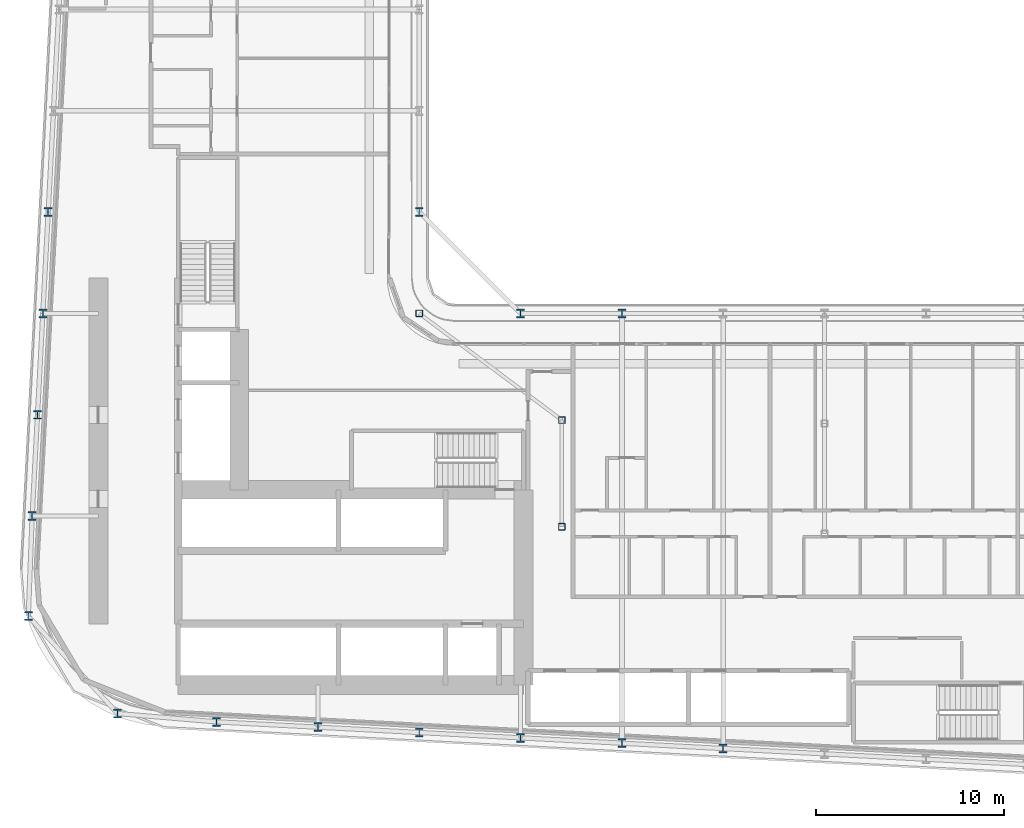
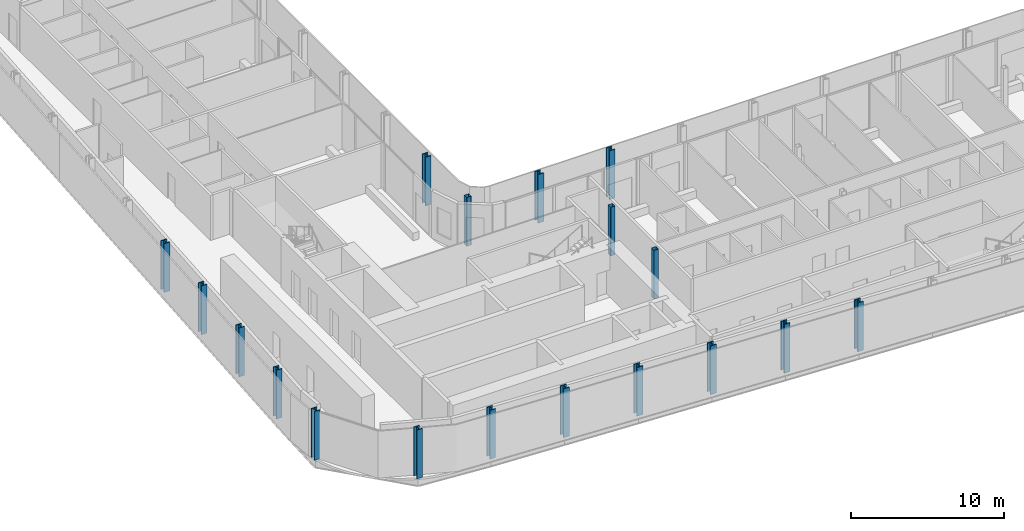
# One storey, part 1 of 24: 18 columns.
"""IFC4 building model written with IfcOpenShell, lengths in metres."""

from ifc_helpers import new_model, si_unit, direction, frame, origin, origin_2d, place, context, subcontext, project, spatial, hollow_rectangle, i_section, extrude, material, material_profile, profile_set, type_object, element, save


model = new_model("IFC4")

# Units and contexts
model_context = context("Model", 3, precision=1e-05, world=origin(), true_north=direction((0.0, 1.0)))
body_context = subcontext(model_context, "Body", "Model", "MODEL_VIEW")
ifc_project = project(units=[si_unit("LENGTHUNIT", "METRE"), si_unit("AREAUNIT", "SQUARE_METRE"), si_unit("VOLUMEUNIT", "CUBIC_METRE"), si_unit("PLANEANGLEUNIT", "RADIAN"), si_unit("MASSUNIT", "GRAM", prefix="KILO")], contexts=[model_context])

# Site, building, storey
site_placement = place(None, origin())
site = spatial("IfcSite", under=ifc_project, at=site_placement, CompositionType="ELEMENT")
building_placement = place(site_placement, origin())
building = spatial("IfcBuilding", under=site, at=building_placement, Name="Kheshtan School and Residences Tower", CompositionType="ELEMENT")
storey_placement = place(building_placement, frame((0.0, 0.0, 38.300048828125)))
storey = spatial("IfcBuildingStorey", under=building, at=storey_placement, Name="L08", CompositionType="ELEMENT", Elevation=38.300048828125)

# Columns
ifc_material_1 = material(Name="Steel ASTM A992 Grade 50", Category="steel")
ifc_material_profile_1 = material_profile(ifc_material_1, i_section(OverallWidth=0.424072265625, OverallDepth=0.47412109375, WebThickness=0.047607421875, FlangeThickness=0.0771484375, FilletRadius=0.01416015625, at=origin_2d()), Name="W360x634")
ifc_profile_set_1 = profile_set([ifc_material_profile_1], Name="Steel ASTM A992 Grade 50")
column_type_1 = type_object("IfcColumnType", Name="Column C1 W360x634 ASTM A992 Grade 50", PredefinedType="COLUMN", material=ifc_profile_set_1)
for number, where, z_axis, x_axis, name in (
    (1, (63.800048828125, 22.410888671875, 0.0), (0.0, 0.0, 1.0), (1.0, 0.0, 0.0), "Column C016"),
    (2, (58.39990234375, 22.695068359375, 0.0), (0.0, 0.0, 1.0), (1.0, 0.0, 0.0), "Column C018"),
    (3, (53.0, 22.97998046875, 0.0), (0.0, 0.0, 1.0), (1.0, 0.0, 0.0), "Column C019"),
    (4, (47.60009765625, 23.263916015625, 0.0), (0.0, 0.0, 1.0), (1.0, 0.0, 0.0), "Column C020"),
    (5, (42.199951171875, 23.548095703125, 0.0), (0.0, 0.0, 1.0), (1.0, 0.0, 0.0), "Column C021"),
    (6, (36.800048828125, 23.83203125, 0.0), (0.0, 0.0, 1.0), (1.0, 0.0, 0.0), "Column C022"),
    (7, (31.52197265625, 24.27490234375, 0.0), (0.0, 0.0, 1.0), (1.0, 0.0, 0.0), "Column C028"),
    (8, (26.761962890625, 29.464111328125, 0.0), (0.0, 0.0, 1.0), (1.0, 0.0, 0.0), "Column C041"),
    (9, (26.968994140625, 34.800048828125, 0.0), (0.0, 0.0, 1.0), (1.0, 0.0, 0.0), "Column C052"),
    (10, (27.2529296875, 40.199951171875, 0.0), (0.0, 0.0, 1.0), (1.0, 0.0, 0.0), "Column C056"),
    (11, (27.537109375, 45.60009765625, 0.0), (0.0, 0.0, 1.0), (1.0, 0.0, 0.0), "Column C059"),
    (12, (53.0, 45.60009765625, 0.0), (0.0, 0.0, 1.0), (1.0, 0.0, 0.0), "Column C061"),
    (13, (58.39990234375, 45.60009765625, 0.0), (0.0, 0.0, 1.0), (1.0, 0.0, 0.0), "Column C062"),
    (14, (27.822021484375, 51.0, 0.0), (0.0, 0.0, 1.0), (1.0, 0.0, 0.0), "Column C078"),
    (15, (47.60009765625, 51.0, 0.0), (0.0, 0.0, 1.0), (1.0, 0.0, 0.0), "Column C079"),
):
    element("IfcColumn", number, at=place(storey_placement, frame(where, z_axis=z_axis, x_axis=x_axis)), inside=storey, type_object=column_type_1, Name=name, PredefinedType="COLUMN", context=body_context, shape_type="SweptSolid", body=[
        extrude(i_section(OverallWidth=0.424072265625, OverallDepth=0.47412109375, WebThickness=0.047607421875, FlangeThickness=0.0771484375, FilletRadius=0.01416015625, at=origin_2d()), origin(), (0.0, 0.0, 1.0), 3.89990234375),
    ])
ifc_material_2 = material(Name="Steel ASTM A500 Grade C", Category="steel")
ifc_material_profile_2 = material_profile(ifc_material_2, hollow_rectangle(XDim=0.35595703125, YDim=0.35595703125, WallThickness=0.015869140625, InnerFilletRadius=0.015869140625, OuterFilletRadius=0.03173828125, at=origin_2d()), Name="HSS 356x356x15.9")
ifc_profile_set_2 = profile_set([ifc_material_profile_2], Name="Steel ASTM A500 Grade C")
column_type_2 = type_object("IfcColumnType", Name="Column IC1 HSS 356x356x15.9 ASTM A500 Grade C", PredefinedType="COLUMN", material=ifc_profile_set_2)
for number, where, z_axis, x_axis, name in (
    (16, (55.199951171875, 34.23193359375, 0.0), (0.0, 0.0, 1.0), (1.0, 0.0, 0.0), "Column C051"),
    (17, (55.199951171875, 39.916015625, 0.0), (0.0, 0.0, 1.0), (1.0, 0.0, 0.0), "Column C055"),
    (18, (47.60009765625, 45.60009765625, 0.0), (0.0, 0.0, 1.0), (1.0, 0.0, 0.0), "Column C060"),
):
    element("IfcColumn", number, at=place(storey_placement, frame(where, z_axis=z_axis, x_axis=x_axis)), inside=storey, type_object=column_type_2, Name=name, PredefinedType="COLUMN", context=body_context, shape_type="SweptSolid", body=[
        extrude(hollow_rectangle(XDim=0.35595703125, YDim=0.35595703125, WallThickness=0.015869140625, InnerFilletRadius=0.015869140625, OuterFilletRadius=0.03173828125, at=origin_2d()), origin(), (0.0, 0.0, 1.0), 3.89990234375),
    ])

save(model, "model.ifc")
